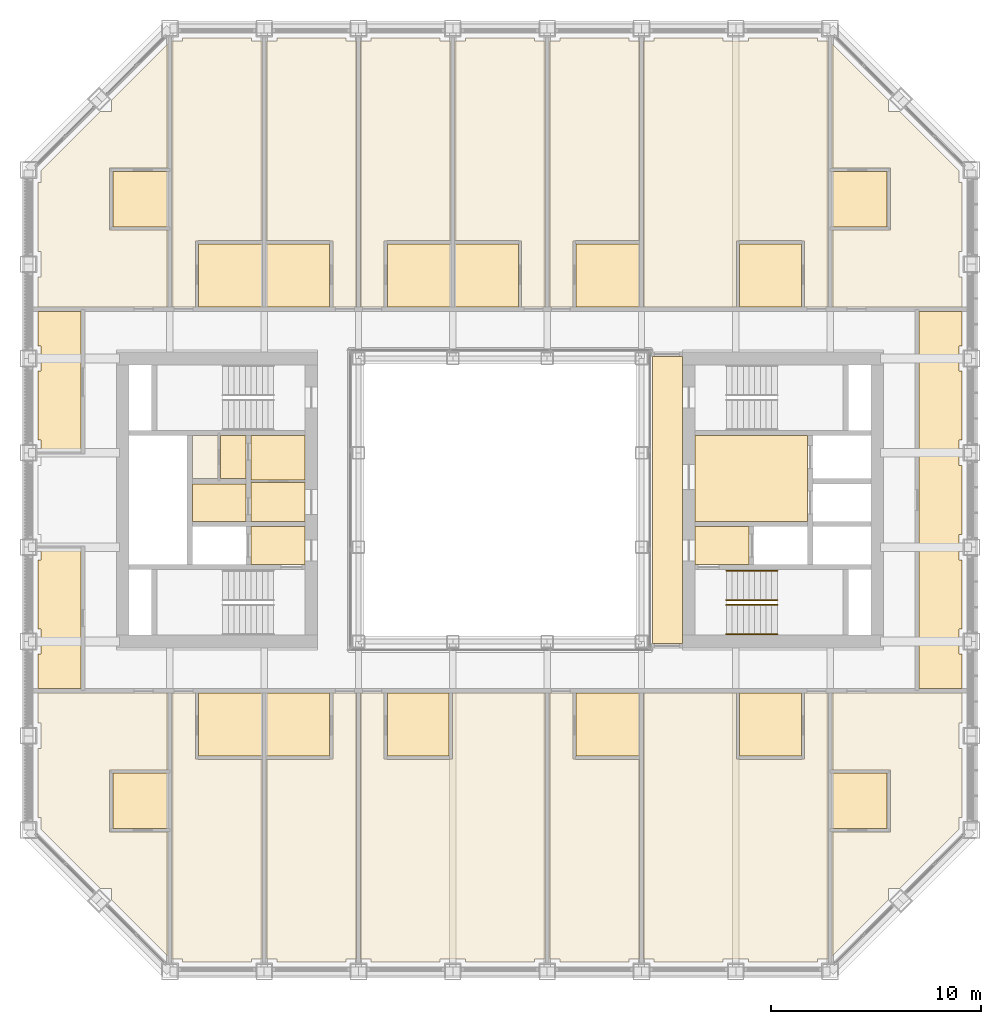
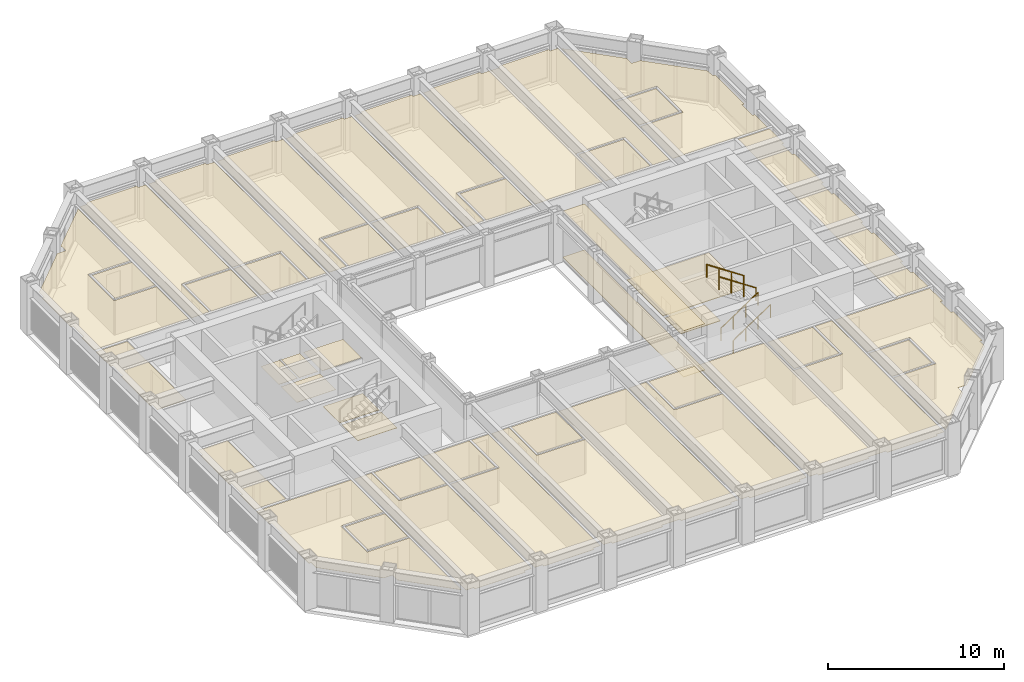
# One storey, part 16 of 17: 5 coverings, 4 railings.
"""IFC4 building model written with IfcOpenShell, lengths in metres."""

from ifc_helpers import new_model, si_unit, direction, frame, origin, origin_2d, place, context, subcontext, project, spatial, line, indexed_curve, circle, outline, extrude, material, layer, layer_set, type_object, element, save


model = new_model("IFC4")

# Units and contexts
model_context = context("Model", 3, precision=1e-05, world=origin(), true_north=direction((0.0, 1.0)))
body_context = subcontext(model_context, "Body", "Model", "MODEL_VIEW")
ifc_project = project(units=[si_unit("LENGTHUNIT", "METRE"), si_unit("AREAUNIT", "SQUARE_METRE"), si_unit("VOLUMEUNIT", "CUBIC_METRE"), si_unit("PLANEANGLEUNIT", "RADIAN"), si_unit("MASSUNIT", "GRAM", prefix="KILO")], contexts=[model_context])

# Site, building, storey
site_placement = place(None, origin())
site = spatial("IfcSite", under=ifc_project, at=site_placement, CompositionType="ELEMENT")
building_placement = place(site_placement, origin())
building = spatial("IfcBuilding", under=site, at=building_placement, Name="Msasa Ring Tower", CompositionType="ELEMENT")
storey_placement = place(building_placement, frame((0.0, 0.0, 140.0)))
storey = spatial("IfcBuildingStorey", under=building, at=storey_placement, Name="L36", CompositionType="ELEMENT", Elevation=140.0)

# Coverings
ifc_material_1 = material(Name="Gypsum plasterboard on a steel suspension grid", Category="steel")
ifc_layer_1 = layer(ifc_material_1, 0.014892578125)
ifc_layer_set_1 = layer_set([ifc_layer_1], Name="C1 SUSPENDED PLASTERBOARD CEILING 15")
covering_type_1 = type_object("IfcCoveringType", Name="C1 SUSPENDED PLASTERBOARD CEILING 15", PredefinedType="CEILING", material=ifc_layer_set_1)
covering_1_placement = place(storey_placement, frame((0.0, 0.0, 3.199951171875)))
element("IfcCovering", 1, at=covering_1_placement, inside=storey, type_object=covering_type_1, Name="Suspended Plasterboard Ceiling 15 public rooms L36", PredefinedType="CEILING", context=body_context, shape_type="SweptSolid", body=[
    extrude(outline(indexed_curve([(8.699462890625, 6.849609375), (8.699462890625, -6.849609375), (7.280029296875, -6.849609375), (7.280029296875, 6.849609375)], segments=[line(1, 2, 3, 4, 1)], self_intersect=False)), origin(), (0.0, 0.0, 1.0), 0.01513671875),
])
covering_2_placement = place(storey_placement, frame((0.0, 0.0, 2.407958984375)))
element("IfcCovering", 2, at=covering_2_placement, inside=storey, type_object=covering_type_1, Name="Suspended Plasterboard Ceiling 15 L36", PredefinedType="CEILING", context=body_context, shape_type="SweptSolid", body=[
    extrude(outline(indexed_curve([(-15.8505859375, -21.762451171875), (-18.5244140625, -19.08837890625), (-18.5244140625, -18.5244140625), (-19.08837890625, -18.5244140625), (-21.8994140625, -15.71337890625), (-21.8994140625, -15.1494140625), (-22.049560546875, -15.1494140625), (-22.049560546875, -11.8505859375), (-21.8994140625, -11.8505859375), (-21.8994140625, -10.6494140625), (-22.049560546875, -10.6494140625), (-22.049560546875, -9.200439453125), (-15.8505859375, -9.200439453125), (-15.8505859375, -12.869384765625), (-18.630615234375, -12.869384765625), (-18.630615234375, -15.83056640625), (-15.8505859375, -15.83056640625)], segments=[line(1, 2, 3, 4, 5, 6, 7, 8, 9, 10, 11, 12, 13, 14, 15, 16, 17, 1)], self_intersect=False)), origin(), (0.0, 0.0, 1.0), 0.01513671875),
    extrude(outline(indexed_curve([(-18.630615234375, 12.869384765625), (-15.8505859375, 12.869384765625), (-15.8505859375, 9.200439453125), (-22.049560546875, 9.200439453125), (-22.049560546875, 10.6494140625), (-21.8994140625, 10.6494140625), (-21.8994140625, 11.8505859375), (-22.049560546875, 11.8505859375), (-22.049560546875, 15.1494140625), (-21.8994140625, 15.1494140625), (-21.8994140625, 15.71337890625), (-19.08837890625, 18.5244140625), (-18.5244140625, 18.5244140625), (-18.5244140625, 19.08837890625), (-15.8505859375, 21.762451171875), (-15.8505859375, 15.83056640625), (-18.630615234375, 15.83056640625)], segments=[line(1, 2, 3, 4, 5, 6, 7, 8, 9, 10, 11, 12, 13, 14, 15, 16, 17, 1)], self_intersect=False)), origin(), (0.0, 0.0, 1.0), 0.01513671875),
    extrude(outline(indexed_curve([(-15.1494140625, -22.049560546875), (-15.1494140625, -21.8994140625), (-15.6494140625, -21.8994140625), (-15.6494140625, -9.200439453125), (-14.525390625, -9.200439453125), (-14.525390625, -12.35009765625), (-14.39990234375, -12.3505859375), (-14.39990234375, -12.37548828125), (-11.3505859375, -12.37548828125), (-11.3505859375, -21.8994140625), (-11.8505859375, -21.8994140625), (-11.8505859375, -22.049560546875)], segments=[line(1, 2, 3, 4, 5, 6, 7, 8, 9, 10, 11, 12, 1)], self_intersect=False)), origin(), (0.0, 0.0, 1.0), 0.01513671875),
    extrude(outline(indexed_curve([(-14.39990234375, 12.3505859375), (-14.525390625, 12.35009765625), (-14.525390625, 9.200439453125), (-15.6494140625, 9.200439453125), (-15.6494140625, 21.8994140625), (-15.1494140625, 21.8994140625), (-15.1494140625, 22.049560546875), (-11.8505859375, 22.049560546875), (-11.8505859375, 21.8994140625), (-11.3505859375, 21.8994140625), (-11.3505859375, 12.37548828125), (-14.39990234375, 12.37548828125)], segments=[line(1, 2, 3, 4, 5, 6, 7, 8, 9, 10, 11, 12, 1)], self_intersect=False)), origin(), (0.0, 0.0, 1.0), 0.01513671875),
    extrude(outline(indexed_curve([(-14.674560546875, 3.074462890625), (-13.45556640625, 3.074462890625), (-13.45556640625, 1.025390625), (-14.674560546875, 1.025390625)], segments=[line(1, 2, 3, 4, 1)], self_intersect=False)), origin(), (0.0, 0.0, 1.0), 0.01513671875),
    extrude(outline(indexed_curve([(-6.8505859375, -9.200439453125), (-6.8505859375, -21.8994140625), (-7.3505859375, -21.8994140625), (-7.3505859375, -22.049560546875), (-10.6494140625, -22.049560546875), (-10.6494140625, -21.8994140625), (-11.1494140625, -21.8994140625), (-11.1494140625, -12.37548828125), (-8.10009765625, -12.37548828125), (-8.10009765625, -12.3505859375), (-7.974609375, -12.35009765625), (-7.974609375, -9.200439453125)], segments=[line(1, 2, 3, 4, 5, 6, 7, 8, 9, 10, 11, 12, 1)], self_intersect=False)), origin(), (0.0, 0.0, 1.0), 0.01513671875),
    extrude(outline(indexed_curve([(-7.3505859375, 22.049560546875), (-7.3505859375, 21.8994140625), (-6.8505859375, 21.8994140625), (-6.8505859375, 9.200439453125), (-7.974609375, 9.200439453125), (-7.974609375, 12.35009765625), (-8.10009765625, 12.3505859375), (-8.10009765625, 12.37548828125), (-11.1494140625, 12.37548828125), (-11.1494140625, 21.8994140625), (-10.6494140625, 21.8994140625), (-10.6494140625, 22.049560546875)], segments=[line(1, 2, 3, 4, 5, 6, 7, 8, 9, 10, 11, 12, 1)], self_intersect=False)), origin(), (0.0, 0.0, 1.0), 0.01513671875),
    extrude(outline(indexed_curve([(-5.39990234375, -12.3505859375), (-5.39990234375, -12.37548828125), (-2.39990234375, -12.37548828125), (-2.39990234375, -12.3505859375), (-2.2744140625, -12.35009765625), (-2.2744140625, -9.200439453125), (2.1494140625, -9.200439453125), (2.1494140625, -21.8994140625), (1.6494140625, -21.8994140625), (1.6494140625, -22.049560546875), (-1.6494140625, -22.049560546875), (-1.6494140625, -21.8994140625), (-2.8505859375, -21.8994140625), (-2.8505859375, -22.049560546875), (-6.1494140625, -22.049560546875), (-6.1494140625, -21.8994140625), (-6.6494140625, -21.8994140625), (-6.6494140625, -9.200439453125), (-5.525390625, -9.200439453125), (-5.525390625, -12.35009765625)], segments=[line(1, 2, 3, 4, 5, 6, 7, 8, 9, 10, 11, 12, 13, 14, 15, 16, 17, 18, 19, 20, 1)], self_intersect=False)), origin(), (0.0, 0.0, 1.0), 0.01513671875),
    extrude(outline(indexed_curve([(-6.6494140625, 9.200439453125), (-6.6494140625, 21.8994140625), (-6.1494140625, 21.8994140625), (-6.1494140625, 22.049560546875), (-2.8505859375, 22.049560546875), (-2.8505859375, 21.8994140625), (-2.3505859375, 21.8994140625), (-2.3505859375, 12.37548828125), (-5.39990234375, 12.37548828125), (-5.39990234375, 12.3505859375), (-5.525390625, 12.35009765625), (-5.525390625, 9.200439453125)], segments=[line(1, 2, 3, 4, 5, 6, 7, 8, 9, 10, 11, 12, 1)], self_intersect=False)), origin(), (0.0, 0.0, 1.0), 0.01513671875),
    extrude(outline(indexed_curve([(1.6494140625, 22.049560546875), (1.6494140625, 21.8994140625), (2.1494140625, 21.8994140625), (2.1494140625, 9.200439453125), (1.025390625, 9.200439453125), (1.025390625, 12.35009765625), (0.89990234375, 12.3505859375), (0.89990234375, 12.37548828125), (-2.1494140625, 12.37548828125), (-2.1494140625, 21.8994140625), (-1.6494140625, 21.8994140625), (-1.6494140625, 22.049560546875)], segments=[line(1, 2, 3, 4, 5, 6, 7, 8, 9, 10, 11, 12, 1)], self_intersect=False)), origin(), (0.0, 0.0, 1.0), 0.01513671875),
    extrude(outline(indexed_curve([(2.8505859375, -22.049560546875), (2.8505859375, -21.8994140625), (2.3505859375, -21.8994140625), (2.3505859375, -9.200439453125), (3.474609375, -9.200439453125), (3.474609375, -12.35009765625), (3.60009765625, -12.3505859375), (3.60009765625, -12.37548828125), (6.6494140625, -12.37548828125), (6.6494140625, -21.8994140625), (6.1494140625, -21.8994140625), (6.1494140625, -22.049560546875)], segments=[line(1, 2, 3, 4, 5, 6, 7, 8, 9, 10, 11, 12, 1)], self_intersect=False)), origin(), (0.0, 0.0, 1.0), 0.01513671875),
    extrude(outline(indexed_curve([(2.3505859375, 9.200439453125), (2.3505859375, 21.8994140625), (2.8505859375, 21.8994140625), (2.8505859375, 22.049560546875), (6.1494140625, 22.049560546875), (6.1494140625, 21.8994140625), (6.6494140625, 21.8994140625), (6.6494140625, 12.37548828125), (3.60009765625, 12.37548828125), (3.60009765625, 12.3505859375), (3.474609375, 12.35009765625), (3.474609375, 9.200439453125)], segments=[line(1, 2, 3, 4, 5, 6, 7, 8, 9, 10, 11, 12, 1)], self_intersect=False)), origin(), (0.0, 0.0, 1.0), 0.01513671875),
    extrude(outline(indexed_curve([(11.2744140625, -12.35009765625), (11.39990234375, -12.3505859375), (11.39990234375, -12.37548828125), (14.39990234375, -12.37548828125), (14.39990234375, -12.3505859375), (14.525390625, -12.35009765625), (14.525390625, -9.200439453125), (15.6494140625, -9.200439453125), (15.6494140625, -21.8994140625), (15.1494140625, -21.8994140625), (15.1494140625, -22.049560546875), (11.8505859375, -22.049560546875), (11.8505859375, -21.8994140625), (10.6494140625, -21.8994140625), (10.6494140625, -22.049560546875), (7.3505859375, -22.049560546875), (7.3505859375, -21.8994140625), (6.8505859375, -21.8994140625), (6.8505859375, -9.200439453125), (11.2744140625, -9.200439453125)], segments=[line(1, 2, 3, 4, 5, 6, 7, 8, 9, 10, 11, 12, 13, 14, 15, 16, 17, 18, 19, 20, 1)], self_intersect=False)), origin(), (0.0, 0.0, 1.0), 0.01513671875),
    extrude(outline(indexed_curve([(14.525390625, 12.35009765625), (14.39990234375, 12.3505859375), (14.39990234375, 12.37548828125), (11.39990234375, 12.37548828125), (11.39990234375, 12.3505859375), (11.2744140625, 12.35009765625), (11.2744140625, 9.200439453125), (6.8505859375, 9.200439453125), (6.8505859375, 21.8994140625), (7.3505859375, 21.8994140625), (7.3505859375, 22.049560546875), (10.6494140625, 22.049560546875), (10.6494140625, 21.8994140625), (11.8505859375, 21.8994140625), (11.8505859375, 22.049560546875), (15.1494140625, 22.049560546875), (15.1494140625, 21.8994140625), (15.6494140625, 21.8994140625), (15.6494140625, 9.200439453125), (14.525390625, 9.200439453125)], segments=[line(1, 2, 3, 4, 5, 6, 7, 8, 9, 10, 11, 12, 13, 14, 15, 16, 17, 18, 19, 20, 1)], self_intersect=False)), origin(), (0.0, 0.0, 1.0), 0.01513671875),
    extrude(outline(indexed_curve([(18.630615234375, -12.869384765625), (15.8505859375, -12.869384765625), (15.8505859375, -9.200439453125), (22.049560546875, -9.200439453125), (22.049560546875, -10.6494140625), (21.8994140625, -10.6494140625), (21.8994140625, -11.8505859375), (22.049560546875, -11.8505859375), (22.049560546875, -15.1494140625), (21.8994140625, -15.1494140625), (21.8994140625, -15.71337890625), (19.08837890625, -18.5244140625), (18.5244140625, -18.5244140625), (18.5244140625, -19.08837890625), (15.8505859375, -21.762451171875), (15.8505859375, -15.83056640625), (18.630615234375, -15.83056640625)], segments=[line(1, 2, 3, 4, 5, 6, 7, 8, 9, 10, 11, 12, 13, 14, 15, 16, 17, 1)], self_intersect=False)), origin(), (0.0, 0.0, 1.0), 0.01513671875),
    extrude(outline(indexed_curve([(15.8505859375, 21.762451171875), (18.5244140625, 19.08837890625), (18.5244140625, 18.5244140625), (19.08837890625, 18.5244140625), (21.8994140625, 15.71337890625), (21.8994140625, 15.1494140625), (22.049560546875, 15.1494140625), (22.049560546875, 11.8505859375), (21.8994140625, 11.8505859375), (21.8994140625, 10.6494140625), (22.049560546875, 10.6494140625), (22.049560546875, 9.200439453125), (15.8505859375, 9.200439453125), (15.8505859375, 12.869384765625), (18.630615234375, 12.869384765625), (18.630615234375, 15.83056640625), (15.8505859375, 15.83056640625)], segments=[line(1, 2, 3, 4, 5, 6, 7, 8, 9, 10, 11, 12, 13, 14, 15, 16, 17, 1)], self_intersect=False)), origin(), (0.0, 0.0, 1.0), 0.01513671875),
])
ifc_material_2 = material(Name="Moisture-resistant gypsum plasterboard on a steel suspension grid", Category="steel")
ifc_layer_2 = layer(ifc_material_2, 0.014892578125)
ifc_layer_set_2 = layer_set([ifc_layer_2], Name="C2 MOISTURE-RESISTANT PLASTERBOARD CEILING 15")
covering_type_2 = type_object("IfcCoveringType", Name="C2 MOISTURE-RESISTANT PLASTERBOARD CEILING 15", PredefinedType="CEILING", material=ifc_layer_set_2)
covering_3_placement = place(storey_placement, frame((0.0, 0.0, 2.39990234375)))
element("IfcCovering", 3, at=covering_3_placement, inside=storey, type_object=covering_type_2, Name="Moisture-Resistant Plasterboard Ceiling 15 L36", PredefinedType="CEILING", context=body_context, shape_type="SweptSolid", body=[
    extrude(outline(indexed_curve([(-18.469482421875, -13.030517578125), (-15.8505859375, -13.030517578125), (-15.8505859375, -15.66943359375), (-18.469482421875, -15.66943359375)], segments=[line(1, 2, 3, 4, 1)], self_intersect=False)), origin(), (0.0, 0.0, 1.0), 0.01513671875),
    extrude(outline(indexed_curve([(-18.469482421875, 15.66943359375), (-15.8505859375, 15.66943359375), (-15.8505859375, 13.030517578125), (-18.469482421875, 13.030517578125)], segments=[line(1, 2, 3, 4, 1)], self_intersect=False)), origin(), (0.0, 0.0, 1.0), 0.01513671875),
    extrude(outline(indexed_curve([(-14.674560546875, 0.7744140625), (-12.12548828125, 0.7744140625), (-12.12548828125, -1.0244140625), (-14.674560546875, -1.0244140625)], segments=[line(1, 2, 3, 4, 1)], self_intersect=False)), origin(), (0.0, 0.0, 1.0), 0.01513671875),
    extrude(outline(indexed_curve([(-11.3505859375, -9.200439453125), (-11.3505859375, -12.224609375), (-14.37451171875, -12.224609375), (-14.37451171875, -9.200439453125)], segments=[line(1, 2, 3, 4, 1)], self_intersect=False)), origin(), (0.0, 0.0, 1.0), 0.01513671875),
    extrude(outline(indexed_curve([(-11.3505859375, 9.200439453125), (-14.37451171875, 9.200439453125), (-14.37451171875, 12.224609375), (-11.3505859375, 12.224609375)], segments=[line(1, 2, 3, 4, 1)], self_intersect=False)), origin(), (0.0, 0.0, 1.0), 0.01513671875),
    extrude(outline(indexed_curve([(-11.1494140625, -9.200439453125), (-8.12548828125, -9.200439453125), (-8.12548828125, -12.224609375), (-11.1494140625, -12.224609375)], segments=[line(1, 2, 3, 4, 1)], self_intersect=False)), origin(), (0.0, 0.0, 1.0), 0.01513671875),
    extrude(outline(indexed_curve([(-11.1494140625, 12.224609375), (-8.12548828125, 12.224609375), (-8.12548828125, 9.200439453125), (-11.1494140625, 9.200439453125)], segments=[line(1, 2, 3, 4, 1)], self_intersect=False)), origin(), (0.0, 0.0, 1.0), 0.01513671875),
    extrude(outline(indexed_curve([(-2.425537109375, -9.200439453125), (-2.425537109375, -12.224609375), (-5.37451171875, -12.224609375), (-5.37451171875, -9.200439453125)], segments=[line(1, 2, 3, 4, 1)], self_intersect=False)), origin(), (0.0, 0.0, 1.0), 0.01513671875),
    extrude(outline(indexed_curve([(-2.3505859375, 9.200439453125), (-5.37451171875, 9.200439453125), (-5.37451171875, 12.224609375), (-2.3505859375, 12.224609375)], segments=[line(1, 2, 3, 4, 1)], self_intersect=False)), origin(), (0.0, 0.0, 1.0), 0.01513671875),
    extrude(outline(indexed_curve([(-2.1494140625, 12.224609375), (0.87451171875, 12.224609375), (0.87451171875, 9.200439453125), (-2.1494140625, 9.200439453125)], segments=[line(1, 2, 3, 4, 1)], self_intersect=False)), origin(), (0.0, 0.0, 1.0), 0.01513671875),
    extrude(outline(indexed_curve([(6.6494140625, -9.200439453125), (6.6494140625, -12.224609375), (3.62548828125, -12.224609375), (3.62548828125, -9.200439453125)], segments=[line(1, 2, 3, 4, 1)], self_intersect=False)), origin(), (0.0, 0.0, 1.0), 0.01513671875),
    extrude(outline(indexed_curve([(6.6494140625, 9.200439453125), (3.62548828125, 9.200439453125), (3.62548828125, 12.224609375), (6.6494140625, 12.224609375)], segments=[line(1, 2, 3, 4, 1)], self_intersect=False)), origin(), (0.0, 0.0, 1.0), 0.01513671875),
    extrude(outline(indexed_curve([(14.37451171875, -9.200439453125), (14.37451171875, -12.224609375), (11.425537109375, -12.224609375), (11.425537109375, -9.200439453125)], segments=[line(1, 2, 3, 4, 1)], self_intersect=False)), origin(), (0.0, 0.0, 1.0), 0.01513671875),
    extrude(outline(indexed_curve([(11.425537109375, 9.200439453125), (11.425537109375, 12.224609375), (14.37451171875, 12.224609375), (14.37451171875, 9.200439453125)], segments=[line(1, 2, 3, 4, 1)], self_intersect=False)), origin(), (0.0, 0.0, 1.0), 0.01513671875),
    extrude(outline(indexed_curve([(15.8505859375, -13.030517578125), (18.469482421875, -13.030517578125), (18.469482421875, -15.66943359375), (15.8505859375, -15.66943359375)], segments=[line(1, 2, 3, 4, 1)], self_intersect=False)), origin(), (0.0, 0.0, 1.0), 0.01513671875),
    extrude(outline(indexed_curve([(15.8505859375, 15.66943359375), (18.469482421875, 15.66943359375), (18.469482421875, 13.030517578125), (15.8505859375, 13.030517578125)], segments=[line(1, 2, 3, 4, 1)], self_intersect=False)), origin(), (0.0, 0.0, 1.0), 0.01513671875),
])
ifc_material_3 = material(Name="Mineral fibre ceiling tiles on an exposed steel grid", Category="steel")
ifc_layer_3 = layer(ifc_material_3, 0.02001953125)
ifc_layer_set_3 = layer_set([ifc_layer_3], Name="C3 ACOUSTIC MINERAL FIBRE TILE CEILING 20")
covering_type_3 = type_object("IfcCoveringType", Name="C3 ACOUSTIC MINERAL FIBRE TILE CEILING 20", PredefinedType="CEILING", material=ifc_layer_set_3)
covering_4_placement = place(storey_placement, frame((0.0, 0.0, 2.408935546875)))
element("IfcCovering", 4, at=covering_4_placement, inside=storey, type_object=covering_type_3, Name="Acoustic Mineral Fibre Tile Ceiling 20 L36", PredefinedType="CEILING", context=body_context, shape_type="SweptSolid", body=[
    extrude(outline(indexed_curve([(-22.049560546875, -7.3505859375), (-21.8994140625, -7.3505859375), (-21.8994140625, -6.1494140625), (-22.049560546875, -6.1494140625), (-22.049560546875, -2.8505859375), (-21.8994140625, -2.8505859375), (-21.8994140625, -2.305419921875), (-20.00048828125, -2.305419921875), (-20.00048828125, -8.99951171875), (-22.049560546875, -8.99951171875)], segments=[line(1, 2, 3, 4, 5, 6, 7, 8, 9, 10, 1)], self_intersect=False)), origin(), (0.0, 0.0, 1.0), 0.02001953125),
    extrude(outline(indexed_curve([(-20.00048828125, 8.99951171875), (-20.00048828125, 2.305419921875), (-21.8994140625, 2.305419921875), (-21.8994140625, 2.8505859375), (-22.049560546875, 2.8505859375), (-22.049560546875, 6.1494140625), (-21.8994140625, 6.1494140625), (-21.8994140625, 7.3505859375), (-22.049560546875, 7.3505859375), (-22.049560546875, 8.99951171875)], segments=[line(1, 2, 3, 4, 5, 6, 7, 8, 9, 10, 1)], self_intersect=False)), origin(), (0.0, 0.0, 1.0), 0.02001953125),
    extrude(outline(indexed_curve([(-13.344482421875, 3.074462890625), (-12.12548828125, 3.074462890625), (-12.12548828125, 1.025390625), (-13.344482421875, 1.025390625)], segments=[line(1, 2, 3, 4, 1)], self_intersect=False)), origin(), (0.0, 0.0, 1.0), 0.02001953125),
    extrude(outline(indexed_curve([(-9.300537109375, 0.95556640625), (-11.87451171875, 0.95556640625), (-11.87451171875, 3.074462890625), (-9.300537109375, 3.074462890625)], segments=[line(1, 2, 3, 4, 1)], self_intersect=False)), origin(), (0.0, 0.0, 1.0), 0.02001953125),
    extrude(outline(indexed_curve([(22.049560546875, 8.99951171875), (22.049560546875, 7.3505859375), (21.8994140625, 7.3505859375), (21.8994140625, 6.1494140625), (22.049560546875, 6.1494140625), (22.049560546875, 2.8505859375), (21.8994140625, 2.8505859375), (21.8994140625, 1.6494140625), (22.049560546875, 1.6494140625), (22.049560546875, -1.6494140625), (21.8994140625, -1.6494140625), (21.8994140625, -2.8505859375), (22.049560546875, -2.8505859375), (22.049560546875, -6.1494140625), (21.8994140625, -6.1494140625), (21.8994140625, -7.3505859375), (22.049560546875, -7.3505859375), (22.049560546875, -8.99951171875), (20.00048828125, -8.99951171875), (20.00048828125, 8.99951171875)], segments=[line(1, 2, 3, 4, 5, 6, 7, 8, 9, 10, 11, 12, 13, 14, 15, 16, 17, 18, 19, 20, 1)], self_intersect=False)), origin(), (0.0, 0.0, 1.0), 0.02001953125),
])
ifc_material_4 = material(Name="Honed granite tiles on a mortar bed", Category="masonry")
ifc_layer_4 = layer(ifc_material_4, 0.030029296875)
ifc_layer_set_4 = layer_set([ifc_layer_4], Name="F1 HONED GRANITE ON BEDDING 30")
covering_type_4 = type_object("IfcCoveringType", Name="F1 HONED GRANITE ON BEDDING 30", PredefinedType="FLOORING", material=ifc_layer_set_4)
covering_5_placement = place(storey_placement, origin())
element("IfcCovering", 5, at=covering_5_placement, inside=storey, type_object=covering_type_4, Name="Honed Granite On Bedding 30 L36", PredefinedType="FLOORING", context=body_context, shape_type="SweptSolid", body=[
    extrude(outline(indexed_curve([(-11.87451171875, -3.074462890625), (-11.87451171875, -1.275390625), (-9.300537109375, -1.275390625), (-9.300537109375, -3.074462890625)], segments=[line(1, 2, 3, 4, 1)], self_intersect=False)), origin(), (0.0, 0.0, 1.0), 0.030029296875),
    extrude(outline(indexed_curve([(-11.87451171875, -1.0244140625), (-11.87451171875, 0.844482421875), (-9.300537109375, 0.844482421875), (-9.300537109375, -1.0244140625)], segments=[line(1, 2, 3, 4, 1)], self_intersect=False)), origin(), (0.0, 0.0, 1.0), 0.030029296875),
    extrude(outline(indexed_curve([(8.699462890625, 6.849609375), (8.699462890625, -6.849609375), (7.280029296875, -6.849609375), (7.280029296875, 6.849609375)], segments=[line(1, 2, 3, 4, 1)], self_intersect=False)), origin(), (0.0, 0.0, 1.0), 0.030029296875),
    extrude(outline(indexed_curve([(9.300537109375, -3.074462890625), (9.300537109375, -1.275390625), (11.87451171875, -1.275390625), (11.87451171875, -3.074462890625)], segments=[line(1, 2, 3, 4, 1)], self_intersect=False)), origin(), (0.0, 0.0, 1.0), 0.030029296875),
    extrude(outline(indexed_curve([(9.300537109375, 3.074462890625), (14.674560546875, 3.074462890625), (14.674560546875, -1.0244140625), (9.300537109375, -1.0244140625)], segments=[line(1, 2, 3, 4, 1)], self_intersect=False)), origin(), (0.0, 0.0, 1.0), 0.030029296875),
])

# Railings
ifc_material_5 = material(Name="Stainless steel", Category="steel")
railing_type = type_object("IfcRailingType", Name="HR1 HANDRAIL 900", PredefinedType="HANDRAIL", material=ifc_material_5)
for number, where, name in (
    (6, (10.800048828125, -6.39990234375, 0.179931640625), "Handrail stair SEA L36 1"),
    (7, (10.800048828125, -5.0, 0.179931640625), "Handrail stair SEA L36 2"),
):
    element("IfcRailing", number, at=place(storey_placement, frame(where)), inside=storey, type_object=railing_type, Name=name, PredefinedType="HANDRAIL", context=body_context, shape_type="SweptSolid", body=[
        extrude(circle(Radius=0.02392578125, at=origin_2d()), frame((0.0, 0.0, 0.8759765625), z_axis=(0.832024571796, 0.0, 0.554738778101), x_axis=(0.0, 1.0, 0.0)), (0.0, 0.0, 1.0), 2.92041015625),
        extrude(circle(Radius=0.02099609375, at=origin_2d()), origin(), (0.0, 0.0, 1.0), 0.851806640625),
        extrude(circle(Radius=0.02099609375, at=origin_2d()), frame((0.81005859375, 0.0, 0.5400390625)), (0.0, 0.0, 1.0), 0.851806640625),
        extrude(circle(Radius=0.02099609375, at=origin_2d()), frame((1.619873046875, 0.0, 1.080078125)), (0.0, 0.0, 1.0), 0.851806640625),
        extrude(circle(Radius=0.02099609375, at=origin_2d()), frame((2.429931640625, 0.0, 1.6201171875)), (0.0, 0.0, 1.0), 0.851806640625),
    ])
for number, where, name in (
    (8, (13.22998046875, -4.77490234375, 1.97998046875), "Handrail stair SEA L36 3"),
    (9, (13.22998046875, -3.375, 1.97998046875), "Handrail stair SEA L36 4"),
):
    element("IfcRailing", number, at=place(storey_placement, frame(where)), inside=storey, type_object=railing_type, Name=name, PredefinedType="HANDRAIL", context=body_context, shape_type="SweptSolid", body=[
        extrude(circle(Radius=0.02392578125, at=origin_2d()), frame((0.0, 0.0, 0.8759765625), z_axis=(-0.832024571796, 0.0, 0.554738778101), x_axis=(0.0, -1.0, 0.0)), (0.0, 0.0, 1.0), 2.92041015625),
        extrude(circle(Radius=0.02099609375, at=origin_2d()), origin(), (0.0, 0.0, 1.0), 0.851806640625),
        extrude(circle(Radius=0.02099609375, at=origin_2d()), frame((-0.81005859375, 0.0, 0.5400390625)), (0.0, 0.0, 1.0), 0.851806640625),
        extrude(circle(Radius=0.02099609375, at=origin_2d()), frame((-1.619873046875, 0.0, 1.080078125)), (0.0, 0.0, 1.0), 0.851806640625),
        extrude(circle(Radius=0.02099609375, at=origin_2d()), frame((-2.429931640625, 0.0, 1.6201171875)), (0.0, 0.0, 1.0), 0.851806640625),
    ])

save(model, "model.ifc")
